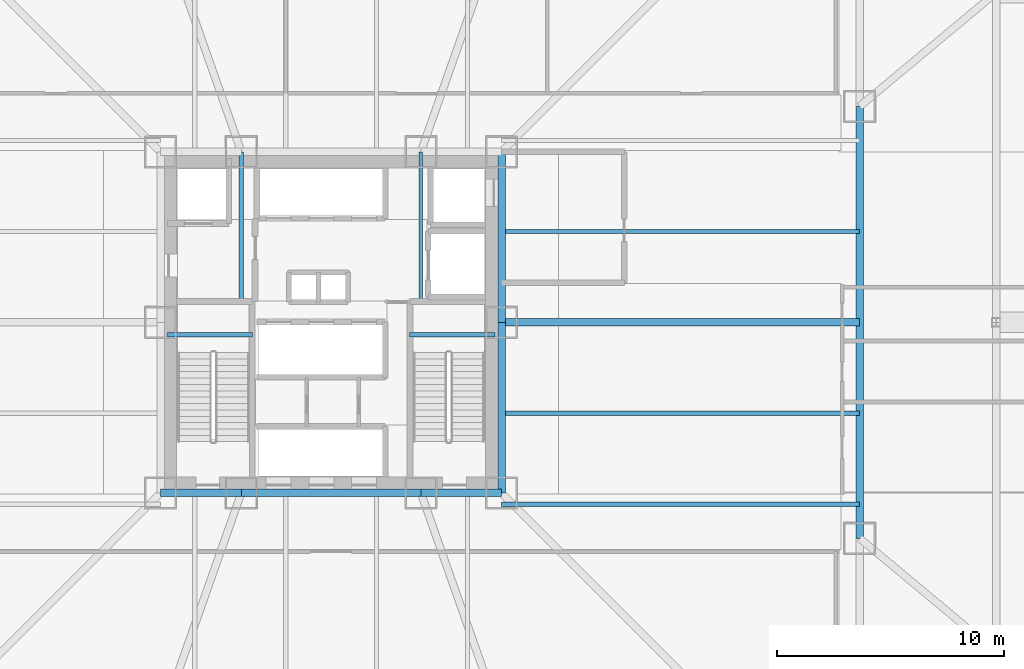
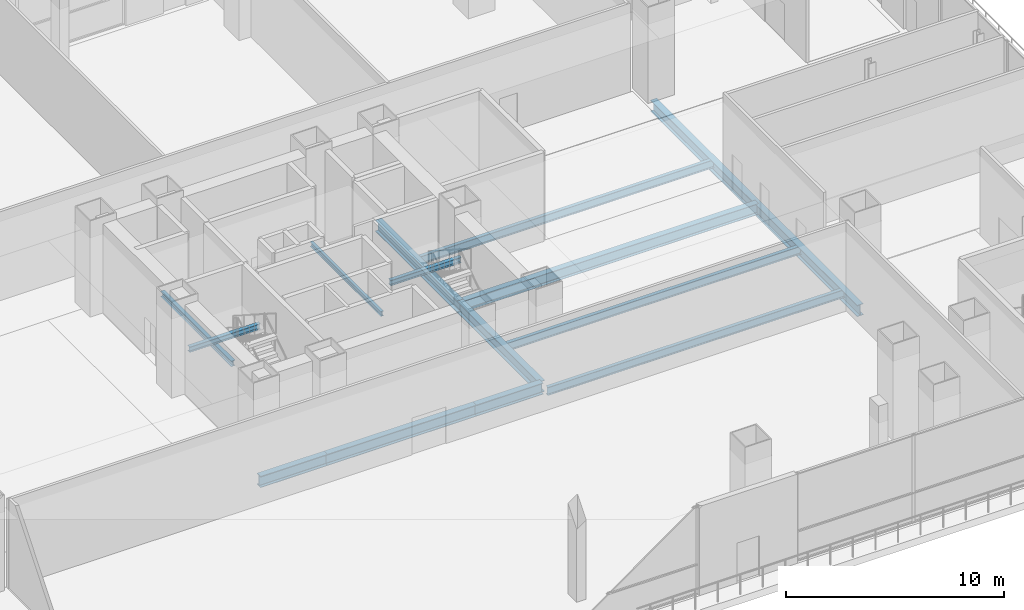
# One storey, part 11 of 35: 14 beams.
"""IFC4 building model written with IfcOpenShell, lengths in metres."""

from ifc_helpers import new_model, si_unit, direction, frame, origin, origin_2d, place, context, subcontext, project, spatial, i_section, extrude, material, material_profile, profile_set, type_object, element, save


model = new_model("IFC4")

# Units and contexts
model_context = context("Model", 3, precision=1e-05, world=origin(), true_north=direction((0.0, 1.0)))
body_context = subcontext(model_context, "Body", "Model", "MODEL_VIEW")
ifc_project = project(units=[si_unit("LENGTHUNIT", "METRE"), si_unit("AREAUNIT", "SQUARE_METRE"), si_unit("VOLUMEUNIT", "CUBIC_METRE"), si_unit("PLANEANGLEUNIT", "RADIAN"), si_unit("MASSUNIT", "GRAM", prefix="KILO")], contexts=[model_context])

# Site, building, storey
site_placement = place(None, origin())
site = spatial("IfcSite", under=ifc_project, at=site_placement, CompositionType="ELEMENT")
building_placement = place(site_placement, origin())
building = spatial("IfcBuilding", under=site, at=building_placement, Name="Trevonay Congress Spire", CompositionType="ELEMENT")
storey_placement = place(building_placement, frame((0.0, 0.0, 10.800048828125)))
storey = spatial("IfcBuildingStorey", under=building, at=storey_placement, Name="L02", CompositionType="ELEMENT", Elevation=10.800048828125)

# Beams
ifc_material = material(Name="Steel ASTM A572 Grade 50", Category="steel")
ifc_material_profile_1 = material_profile(ifc_material, i_section(OverallWidth=0.324951171875, OverallDepth=0.615966796875, WebThickness=0.013916015625, FlangeThickness=0.021484375, FilletRadius=0.01806640625, at=origin_2d()), Name="W610x174")
ifc_profile_set_1 = profile_set([ifc_material_profile_1], Name="Steel ASTM A572 Grade 50")
beam_type_1 = type_object("IfcBeamType", Name="BM-GIRD-W610X174", PredefinedType="BEAM", material=ifc_profile_set_1)
beam_1_placement = place(storey_placement, frame((7.5, 0.0, -0.7080078125), z_axis=(1.0, 0.0, 0.0), x_axis=(0.0, 1.0, 0.0)))
element("IfcBeam", 1, at=beam_1_placement, inside=storey, type_object=beam_type_1, Name="L02 structural beam BM-L02-RAD-EC", PredefinedType="BEAM", context=body_context, shape_type="SweptSolid", body=[
    extrude(i_section(OverallWidth=0.324951171875, OverallDepth=0.615966796875, WebThickness=0.013916015625, FlangeThickness=0.021484375, FilletRadius=0.01806640625, at=origin_2d()), origin(), (0.0, 0.0, 1.0), 15.75),
])
ifc_material_profile_2 = material_profile(ifc_material, i_section(OverallWidth=0.3291015625, OverallDepth=0.635009765625, WebThickness=0.017822265625, FlangeThickness=0.031005859375, FilletRadius=0.01806640625, at=origin_2d()), Name="W610x241")
ifc_profile_set_2 = profile_set([ifc_material_profile_2], Name="Steel ASTM A572 Grade 50")
beam_type_2 = type_object("IfcBeamType", Name="BM-GIRD-W610X241", PredefinedType="BEAM", material=ifc_profile_set_2)
beam_2_placement = place(storey_placement, frame((-7.5, -7.5, -0.717529296875), z_axis=(1.0, 0.0, 0.0), x_axis=(0.0, 1.0, 0.0)))
element("IfcBeam", 2, at=beam_2_placement, inside=storey, type_object=beam_type_2, Name="L02 structural beam BM-L02-CR-S1", PredefinedType="BEAM", context=body_context, shape_type="SweptSolid", body=[
    extrude(i_section(OverallWidth=0.3291015625, OverallDepth=0.635009765625, WebThickness=0.017822265625, FlangeThickness=0.031005859375, FilletRadius=0.01806640625, at=origin_2d()), origin(), (0.0, 0.0, 1.0), 3.550048828125),
])
beam_3_placement = place(storey_placement, frame((-3.949951171875, -7.5, -0.717529296875), z_axis=(1.0, 0.0, 0.0), x_axis=(0.0, 1.0, 0.0)))
element("IfcBeam", 3, at=beam_3_placement, inside=storey, type_object=beam_type_2, Name="L02 structural beam BM-L02-CR-S2", PredefinedType="BEAM", context=body_context, shape_type="SweptSolid", body=[
    extrude(i_section(OverallWidth=0.3291015625, OverallDepth=0.635009765625, WebThickness=0.017822265625, FlangeThickness=0.031005859375, FilletRadius=0.01806640625, at=origin_2d()), origin(), (0.0, 0.0, 1.0), 7.89990234375),
])
beam_4_placement = place(storey_placement, frame((3.949951171875, -7.5, -0.717529296875), z_axis=(1.0, 0.0, 0.0), x_axis=(0.0, 1.0, 0.0)))
element("IfcBeam", 4, at=beam_4_placement, inside=storey, type_object=beam_type_2, Name="L02 structural beam BM-L02-CR-S3", PredefinedType="BEAM", context=body_context, shape_type="SweptSolid", body=[
    extrude(i_section(OverallWidth=0.3291015625, OverallDepth=0.635009765625, WebThickness=0.017822265625, FlangeThickness=0.031005859375, FilletRadius=0.01806640625, at=origin_2d()), origin(), (0.0, 0.0, 1.0), 3.550048828125),
])
for number, where, z_axis, x_axis, name in (
    (5, (7.5, -7.5, -0.717529296875), (0.0, 1.0, 0.0), (-1.0, 0.0, 0.0), "L02 structural beam BM-L02-CR-E1"),
    (6, (7.5, 0.0, -0.717529296875), (0.0, 1.0, 0.0), (-1.0, 0.0, 0.0), "L02 structural beam BM-L02-CR-E2"),
):
    element("IfcBeam", number, at=place(storey_placement, frame(where, z_axis=z_axis, x_axis=x_axis)), inside=storey, type_object=beam_type_2, Name=name, PredefinedType="BEAM", context=body_context, shape_type="SweptSolid", body=[
        extrude(i_section(OverallWidth=0.3291015625, OverallDepth=0.635009765625, WebThickness=0.017822265625, FlangeThickness=0.031005859375, FilletRadius=0.01806640625, at=origin_2d()), origin(), (0.0, 0.0, 1.0), 7.5),
    ])
beam_5_placement = place(storey_placement, frame((23.25, -9.5, -0.717529296875), z_axis=(0.0, 1.0, 0.0), x_axis=(-1.0, 0.0, 0.0)))
element("IfcBeam", 7, at=beam_5_placement, inside=storey, type_object=beam_type_2, Name="L02 structural beam BM-L02-ME2", PredefinedType="BEAM", context=body_context, shape_type="SweptSolid", body=[
    extrude(i_section(OverallWidth=0.3291015625, OverallDepth=0.635009765625, WebThickness=0.017822265625, FlangeThickness=0.031005859375, FilletRadius=0.01806640625, at=origin_2d()), origin(), (0.0, 0.0, 1.0), 19.0),
])
ifc_material_profile_3 = material_profile(ifc_material, i_section(OverallWidth=0.18994140625, OverallDepth=0.45703125, WebThickness=0.009033203125, FlangeThickness=0.014404296875, FilletRadius=0.013916015625, at=origin_2d()), Name="W460x74")
ifc_profile_set_3 = profile_set([ifc_material_profile_3], Name="Steel ASTM A572 Grade 50")
beam_type_3 = type_object("IfcBeamType", Name="JS-COMP-W460X74", PredefinedType="JOIST", material=ifc_profile_set_3)
for number, where, z_axis, x_axis, name in (
    (8, (7.5, -8.0, -0.628662109375), (1.0, 0.0, 0.0), (0.0, 1.0, 0.0), "L02 structural beam JS-L02-EH1"),
    (9, (7.5, -4.0, -0.628662109375), (1.0, 0.0, 0.0), (0.0, 1.0, 0.0), "L02 structural beam JS-L02-EH2"),
    (10, (7.5, 4.0, -0.628662109375), (1.0, 0.0, 0.0), (0.0, 1.0, 0.0), "L02 structural beam JS-L02-EH3"),
):
    element("IfcBeam", number, at=place(storey_placement, frame(where, z_axis=z_axis, x_axis=x_axis)), inside=storey, type_object=beam_type_3, Name=name, PredefinedType="JOIST", context=body_context, shape_type="SweptSolid", body=[
        extrude(i_section(OverallWidth=0.18994140625, OverallDepth=0.45703125, WebThickness=0.009033203125, FlangeThickness=0.014404296875, FilletRadius=0.013916015625, at=origin_2d()), origin(), (0.0, 0.0, 1.0), 15.75),
    ])
ifc_material_profile_4 = material_profile(ifc_material, i_section(OverallWidth=0.2041015625, OverallDepth=0.305908203125, WebThickness=0.008544921875, FlangeThickness=0.0146484375, FilletRadius=0.010986328125, at=origin_2d()), Name="W310x67")
ifc_profile_set_4 = profile_set([ifc_material_profile_4], Name="Steel ASTM A572 Grade 50")
beam_type_4 = type_object("IfcBeamType", Name="LN-CORE-W310X67", PredefinedType="LINTEL", material=ifc_profile_set_4)
beam_6_placement = place(storey_placement, frame((-3.949951171875, 1.0, -0.552978515625), z_axis=(0.0, 1.0, 0.0), x_axis=(-1.0, 0.0, 0.0)))
element("IfcBeam", 11, at=beam_6_placement, inside=storey, type_object=beam_type_4, Name="L02 structural beam LIN-L02-W", PredefinedType="LINTEL", context=body_context, shape_type="SweptSolid", body=[
    extrude(i_section(OverallWidth=0.2041015625, OverallDepth=0.305908203125, WebThickness=0.008544921875, FlangeThickness=0.0146484375, FilletRadius=0.010986328125, at=origin_2d()), origin(), (0.0, 0.0, 1.0), 6.5),
])
for number, where, z_axis, x_axis, name in (
    (12, (-7.199951171875, -0.550048828125, 2.346923828125), (1.0, 0.0, 0.0), (0.0, 1.0, 0.0), "L02 structural beam BM-L02-HL-ST1"),
    (13, (3.449951171875, -0.550048828125, 2.346923828125), (1.0, 0.0, 0.0), (0.0, 1.0, 0.0), "L02 structural beam BM-L02-HL-ST2"),
):
    element("IfcBeam", number, at=place(storey_placement, frame(where, z_axis=z_axis, x_axis=x_axis)), inside=storey, type_object=beam_type_4, Name=name, PredefinedType="LINTEL", context=body_context, shape_type="SweptSolid", body=[
        extrude(i_section(OverallWidth=0.2041015625, OverallDepth=0.305908203125, WebThickness=0.008544921875, FlangeThickness=0.0146484375, FilletRadius=0.010986328125, at=origin_2d()), origin(), (0.0, 0.0, 1.0), 3.75),
    ])
ifc_material_profile_5 = material_profile(ifc_material, i_section(OverallWidth=0.14794921875, OverallDepth=0.26611328125, WebThickness=0.007568359375, FlangeThickness=0.012939453125, FilletRadius=0.010009765625, at=origin_2d()), Name="W250x44.8")
ifc_profile_set_5 = profile_set([ifc_material_profile_5], Name="Steel ASTM A572 Grade 50")
beam_type_5 = type_object("IfcBeamType", Name="LN-DOOR-W250X45", PredefinedType="LINTEL", material=ifc_profile_set_5)
beam_7_placement = place(storey_placement, frame((3.949951171875, 1.0, -0.532958984375), z_axis=(0.0, 1.0, 0.0), x_axis=(-1.0, 0.0, 0.0)))
element("IfcBeam", 14, at=beam_7_placement, inside=storey, type_object=beam_type_5, Name="L02 structural beam LIN-L02-E", PredefinedType="LINTEL", context=body_context, shape_type="SweptSolid", body=[
    extrude(i_section(OverallWidth=0.14794921875, OverallDepth=0.26611328125, WebThickness=0.007568359375, FlangeThickness=0.012939453125, FilletRadius=0.010009765625, at=origin_2d()), origin(), (0.0, 0.0, 1.0), 6.5),
])

save(model, "model.ifc")
